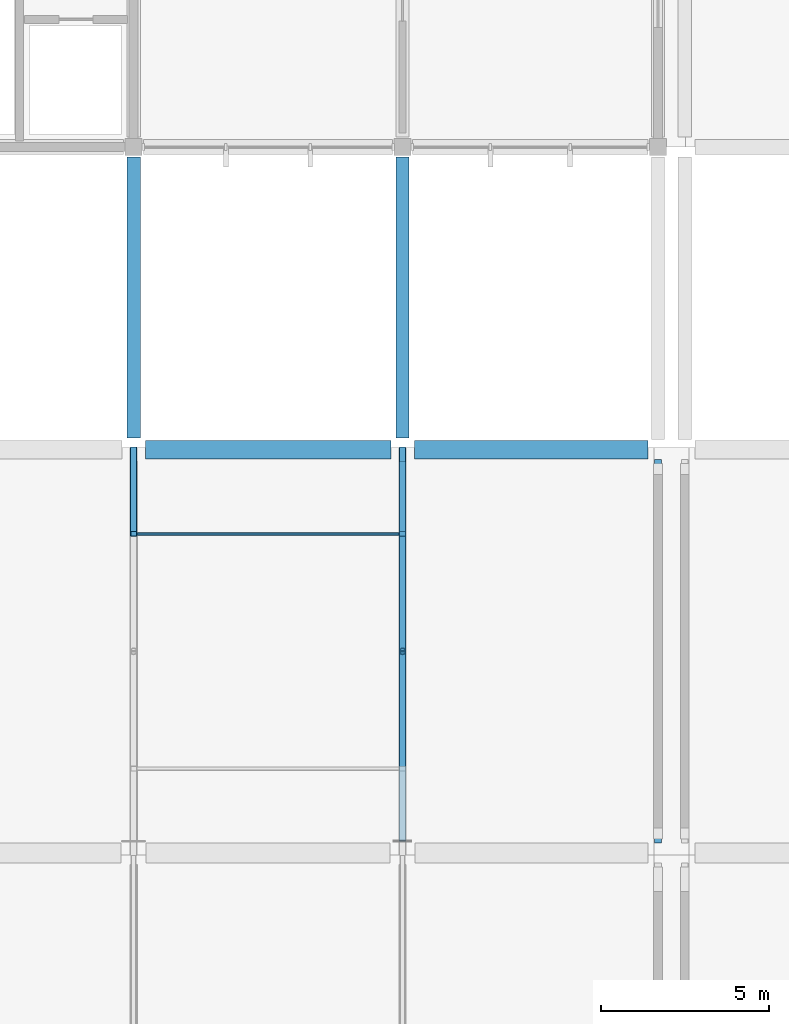
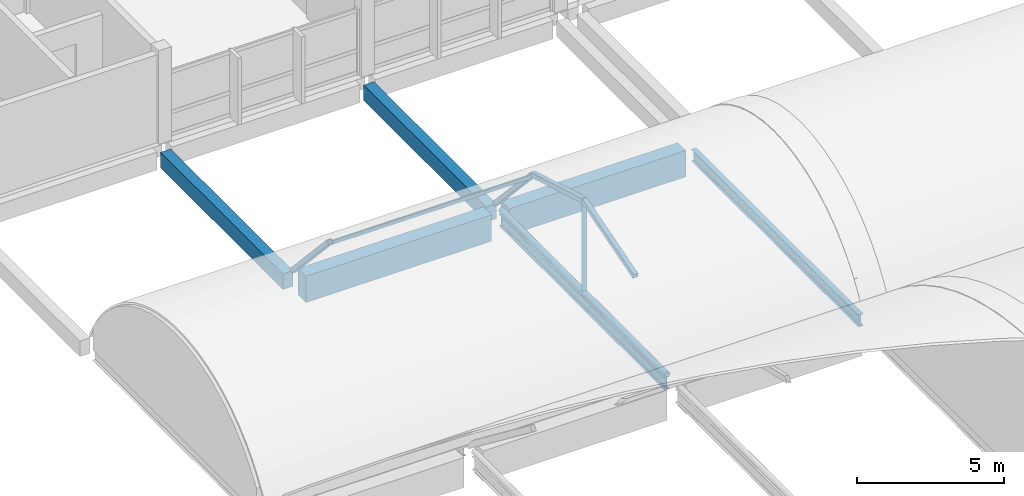
# One storey, part 23 of 57: 7 members, 6 beams.
"""IFC4 building model written with IfcOpenShell, lengths in metres."""

import ifcopenshell
import ifcopenshell.guid

model = None  # the IFC model being written
_history = None  # IfcOwnerHistory: only IFC2X3 demands one
_inside = {}  # id of a spatial element -> (the spatial element, [elements in it])
_under = {}  # id of a project, library or spatial element -> (it, [spatial elements below it])
_declared = {}  # id of a project -> (the project, [libraries it declares])
_typed = {}  # id of a type object -> (the type object, [elements of that type])
_made_of = {}  # id of a material, layer set ... -> (it, [elements and type objects made of it])


def new_model(schema):
    """Start an empty IFC model of exactly this schema.

    Asked for "IFC4X3", IfcOpenShell would pick the latest addendum, in which some entities
    have other attributes; the version numbers below select the first issue.
    IFC2X3 requires an IfcOwnerHistory on every rooted entity: one is made here for all.
    """
    global model, _history
    if schema == "IFC4X3":
        model = ifcopenshell.file(schema_version=(4, 3, 0, 0))
    else:
        model = ifcopenshell.file(schema=schema)
    _inside.clear()
    _under.clear()
    _declared.clear()
    _typed.clear()
    _made_of.clear()
    _history = None
    if model.schema == "IFC2X3":
        org = make("IfcOrganization", Name="unknown")
        user = make(
            "IfcPersonAndOrganization",
            ThePerson=make("IfcPerson", FamilyName="unknown"),
            TheOrganization=org,
        )
        app = make(
            "IfcApplication",
            ApplicationDeveloper=org,
            Version="unknown",
            ApplicationFullName="unknown",
            ApplicationIdentifier="unknown",
        )
        _history = make(
            "IfcOwnerHistory",
            OwningUser=user,
            OwningApplication=app,
            ChangeAction="ADDED",
            CreationDate=0,
        )
    return model


def make(cls, **values):
    """One entity of the class cls with the attributes given. An attribute that is None is left unset."""
    return model.create_entity(
        cls, **{name: value for name, value in values.items() if value is not None}
    )


def rooted(cls, **values):
    """An entity with a GlobalId (a new one), such as an element, a storey or a relation."""
    return make(cls, GlobalId=ifcopenshell.guid.new(), OwnerHistory=_history, **values)


def si_unit(unit_type, name, prefix=None):
    """IfcSIUnit, for example si_unit("LENGTHUNIT", "METRE", prefix="MILLI")."""
    return make("IfcSIUnit", UnitType=unit_type, Prefix=prefix, Name=name)


def assignment(units):
    """IfcUnitAssignment: the units of a project."""
    return None if units is None else make("IfcUnitAssignment", Units=units)


def point(xyz):
    """IfcCartesianPoint."""
    return None if xyz is None else make("IfcCartesianPoint", Coordinates=xyz)


def direction(xyz):
    """IfcDirection."""
    return None if xyz is None else make("IfcDirection", DirectionRatios=xyz)


def frame(location, z_axis=None, x_axis=None):
    """IfcAxis2Placement3D, a coordinate frame: its origin and axes. An axis left out is left unset."""
    return make(
        "IfcAxis2Placement3D",
        Location=point(location),
        Axis=direction(z_axis),
        RefDirection=direction(x_axis),
    )


def frame_2d(location, x_axis=None):
    """IfcAxis2Placement2D, a coordinate frame in the plane: its origin and x axis."""
    return make(
        "IfcAxis2Placement2D", Location=point(location), RefDirection=direction(x_axis)
    )


def origin():
    """The frame at (0, 0, 0) with its axes left unset."""
    return frame((0.0, 0.0, 0.0))


def origin_2d():
    """The frame at (0, 0) in the plane with its x axis left unset."""
    return frame_2d((0.0, 0.0))


def place(relative_to, where):
    """IfcLocalPlacement: puts the frame where relative to a parent placement (None: the world)."""
    return make(
        "IfcLocalPlacement", PlacementRelTo=relative_to, RelativePlacement=where
    )


def context(
    kind, dimensions, precision=None, world=None, true_north=None, identifier=None
):
    """IfcGeometricRepresentationContext, for example the 3D "Model" context."""
    return make(
        "IfcGeometricRepresentationContext",
        ContextIdentifier=identifier,
        ContextType=kind,
        CoordinateSpaceDimension=dimensions,
        Precision=precision,
        WorldCoordinateSystem=world,
        TrueNorth=true_north,
    )


def subcontext(parent, identifier, kind, view, scale=None):
    """IfcGeometricRepresentationSubContext, for example "Body" below "Model"."""
    return make(
        "IfcGeometricRepresentationSubContext",
        ContextIdentifier=identifier,
        ContextType=kind,
        ParentContext=parent,
        TargetScale=scale,
        TargetView=view,
    )


def project(units=None, contexts=None):
    """IfcProject with its units and contexts."""
    return rooted(
        "IfcProject",
        Name="project",
        RepresentationContexts=contexts,
        UnitsInContext=assignment(units),
    )


def spatial(cls, under=None, at=None, **own):
    """A site, building, storey or space (cls), placed at a placement, below another one or the project."""
    s = rooted(cls, ObjectPlacement=at, **own)
    if under is not None:
        _under.setdefault(under.id(), (under, []))[1].append(s)
    return s


def profile(cls, at=None, kind="AREA", **sizes):
    """A parametric profile (cls). Its sizes go by their IFC names, for example OverallWidth=200.0."""
    return make(cls, ProfileType=kind, Position=at, **sizes)


def rectangle(**sizes):
    """IfcRectangleProfileDef."""
    return profile("IfcRectangleProfileDef", **sizes)


def hollow_rectangle(**sizes):
    """IfcRectangleHollowProfileDef."""
    return profile("IfcRectangleHollowProfileDef", **sizes)


def hollow_circle(**sizes):
    """IfcCircleHollowProfileDef."""
    return profile("IfcCircleHollowProfileDef", **sizes)


def i_section(**sizes):
    """IfcIShapeProfileDef."""
    return profile("IfcIShapeProfileDef", **sizes)


def extrude(swept, where, along, depth):
    """IfcExtrudedAreaSolid: the profile swept, set in the frame where, extruded along a direction by depth."""
    return make(
        "IfcExtrudedAreaSolid",
        SweptArea=swept,
        Position=where,
        ExtrudedDirection=direction(along),
        Depth=depth,
    )


def shape(context_of_items, identifier, shape_type, items):
    """IfcShapeRepresentation: the items that make up one representation, for example the "Body"."""
    return make(
        "IfcShapeRepresentation",
        ContextOfItems=context_of_items,
        RepresentationIdentifier=identifier,
        RepresentationType=shape_type,
        Items=items,
    )


def material(Name=None, Category=None):
    """IfcMaterial."""
    return make("IfcMaterial", Name=Name, Category=Category)


def material_profile(
    of_material, cross_section, Name=None, Category=None, Priority=None
):
    """IfcMaterialProfile: a cross section and its material."""
    return make(
        "IfcMaterialProfile",
        Name=Name,
        Material=of_material,
        Profile=cross_section,
        Priority=Priority,
        Category=Category,
    )


def profile_set(profiles, Name=None, composite=None):
    """IfcMaterialProfileSet."""
    return make(
        "IfcMaterialProfileSet",
        Name=Name,
        MaterialProfiles=profiles,
        CompositeProfile=composite,
    )


def made_of(thing, what):
    """Note that an element or type object is made of a material, layer set ...; save() writes the relation."""
    if what is not None:
        _made_of.setdefault(what.id(), (what, []))[1].append(thing)
    return thing


def type_object(cls, material=None, **own):
    """A type object (cls), such as IfcWallType, which elements share."""
    return made_of(rooted(cls, **own), material)


def element(
    cls,
    number,
    at=None,
    inside=None,
    cuts=None,
    type_object=None,
    material=None,
    context=None,
    identifier="Body",
    shape_type=None,
    held_by="IfcProductDefinitionShape",
    body=None,
    shapes=None,
    **own,
):
    """One element of the class cls, such as IfcWall. Its Tag is "e" and its number.

    at: its placement. inside: the storey or other place that contains it. cuts: it is an
    opening in that element (IfcRelVoidsElement). A single representation is given by context,
    identifier, shape_type and body (its items); several are given by shapes. held_by: the class
    of the entity that holds the representations. save() writes the other relations.
    """
    e = rooted(cls, Tag="e%d" % number, ObjectPlacement=at, **own)
    if body is not None:
        shapes = [shape(context, identifier, shape_type, body)]
    if shapes is not None:
        e.Representation = make(held_by, Representations=shapes)
    if inside is not None:
        _inside.setdefault(inside.id(), (inside, []))[1].append(e)
    if cuts is not None:
        rooted(
            "IfcRelVoidsElement", RelatingBuildingElement=cuts, RelatedOpeningElement=e
        )
    if type_object is not None:
        _typed.setdefault(type_object.id(), (type_object, []))[1].append(e)
    return made_of(e, material)


def aggregate(whole, parts):
    """IfcRelAggregates: a whole, such as a stair, and the parts it consists of."""
    return rooted("IfcRelAggregates", RelatingObject=whole, RelatedObjects=parts)


def save(model, path):
    """Write the relations noted so far, then the file.

    IfcRelAggregates (storeys below a building ...), IfcRelContainedInSpatialStructure (elements
    in a storey), IfcRelDefinesByType, IfcRelAssociatesMaterial and IfcRelDeclares: one each for
    every whole, place, type object, material and project.
    """
    for whole, parts in _under.values():
        aggregate(whole, parts)
    for where, things in _inside.values():
        rooted(
            "IfcRelContainedInSpatialStructure",
            RelatedElements=things,
            RelatingStructure=where,
        )
    for kind, things in _typed.values():
        rooted("IfcRelDefinesByType", RelatedObjects=things, RelatingType=kind)
    for what, things in _made_of.values():
        rooted("IfcRelAssociatesMaterial", RelatedObjects=things, RelatingMaterial=what)
    for by, libraries in _declared.values():
        rooted("IfcRelDeclares", RelatingContext=by, RelatedDefinitions=libraries)
    model.write(path)


model = new_model("IFC4")

# Units and contexts
model_context = context("Model", 3, precision=1e-05, world=origin(), true_north=direction((0.0, 1.0)))
body_context = subcontext(model_context, "Body", "Model", "MODEL_VIEW")
ifc_project = project(units=[si_unit("LENGTHUNIT", "METRE"), si_unit("AREAUNIT", "SQUARE_METRE"), si_unit("VOLUMEUNIT", "CUBIC_METRE"), si_unit("PLANEANGLEUNIT", "RADIAN"), si_unit("MASSUNIT", "GRAM", prefix="KILO"), si_unit("THERMODYNAMICTEMPERATUREUNIT", "KELVIN"), si_unit("POWERUNIT", "WATT")], contexts=[model_context])

# Site, building, storey
site_placement = place(None, origin())
site = spatial("IfcSite", under=ifc_project, at=site_placement, CompositionType="ELEMENT")
building_placement = place(site_placement, origin())
building = spatial("IfcBuilding", under=site, at=building_placement, Name="Kronsvod Quay Wholesale Market", CompositionType="ELEMENT")
storey_placement = place(building_placement, frame((0.0, 0.0, 13.199951171875)))
storey = spatial("IfcBuildingStorey", under=building, at=storey_placement, Name="L03", CompositionType="ELEMENT", Elevation=13.199951171875)

# Beams
ifc_material_1 = material(Name="Precast concrete C40/50", Category="concrete")
ifc_material_profile_1 = material_profile(ifc_material_1, rectangle(XDim=0.39990234375, YDim=0.64990234375, at=origin_2d()), Name="PCB400x650")
ifc_profile_set_1 = profile_set([ifc_material_profile_1], Name="Precast concrete C40/50")
beam_type_1 = type_object("IfcBeamType", Name="Beam_PCB400x650", PredefinedType="BEAM", material=ifc_profile_set_1)
for number, where, z_axis, x_axis, name in (
    (1, (112.0, 90.35009765625, -0.635009765625), (0.0, 1.0, 0.0), (-1.0, 0.0, 0.0), "BMY-L03-1120-900"),
    (2, (120.0, 90.35009765625, -0.635009765625), (0.0, 1.0, 0.0), (-1.0, 0.0, 0.0), "BMY-L03-1200-900"),
):
    element("IfcBeam", number, at=place(storey_placement, frame(where, z_axis=z_axis, x_axis=x_axis)), inside=storey, type_object=beam_type_1, Name=name, PredefinedType="BEAM", context=body_context, shape_type="SweptSolid", body=[
        extrude(rectangle(XDim=0.39990234375, YDim=0.64990234375, at=origin_2d()), origin(), (0.0, 0.0, 1.0), 8.349853515625),
    ])
ifc_material_2 = material(Name="Precast concrete C40/50", Category="concrete")
ifc_material_profile_2 = material_profile(ifc_material_2, rectangle(XDim=0.550048828125, YDim=1.10009765625, at=origin_2d()), Name="PCVG550x1100")
ifc_profile_set_2 = profile_set([ifc_material_profile_2], Name="Precast concrete C40/50")
beam_type_2 = type_object("IfcBeamType", Name="Girder_PCVG550x1100", PredefinedType="T_BEAM", material=ifc_profile_set_2)
beam_1_placement = place(storey_placement, frame((112.35009765625, 90.0, -0.77001953125), z_axis=(1.0, 0.0, 0.0), x_axis=(0.0, 1.0, 0.0)))
element("IfcBeam", 3, at=beam_1_placement, inside=storey, type_object=beam_type_2, Name="BMX-L03-1120-900", PredefinedType="T_BEAM", context=body_context, shape_type="SweptSolid", body=[
    extrude(rectangle(XDim=0.550048828125, YDim=1.10009765625, at=origin_2d()), origin(), (0.0, 0.0, 1.0), 7.2998046875),
])
beam_2_placement = place(storey_placement, frame((120.35009765625, 90.0, -0.77001953125), z_axis=(1.0, 0.0, 0.0), x_axis=(0.0, 1.0, 0.0)))
element("IfcBeam", 4, at=beam_2_placement, inside=storey, type_object=beam_type_2, Name="BMX-L03-1200-900", PredefinedType="T_BEAM", context=body_context, shape_type="SweptSolid", body=[
    extrude(rectangle(XDim=0.550048828125, YDim=1.10009765625, at=origin_2d()), origin(), (0.0, 0.0, 1.0), 6.949951171875),
])
ifc_material_3 = material(Name="Steel S355", Category="steel")
ifc_material_profile_3 = material_profile(ifc_material_3, i_section(OverallWidth=0.198974609375, OverallDepth=0.49609375, WebThickness=0.009033203125, FlangeThickness=0.013916015625, FilletRadius=0.02001953125, at=origin_2d()), Name="50B1")
ifc_profile_set_3 = profile_set([ifc_material_profile_3], Name="Steel S355")
beam_type_3 = type_object("IfcBeamType", Name="Girder_Steel50B1", PredefinedType="T_BEAM", material=ifc_profile_set_3)
beam_3_placement = place(storey_placement, frame((120.0, 78.375, -0.468017578125), z_axis=(0.0, 1.0, 0.0), x_axis=(-1.0, 0.0, 0.0)))
element("IfcBeam", 5, at=beam_3_placement, inside=storey, type_object=beam_type_3, Name="BMY-L03-1200-780", PredefinedType="T_BEAM", context=body_context, shape_type="SweptSolid", body=[
    extrude(i_section(OverallWidth=0.198974609375, OverallDepth=0.49609375, WebThickness=0.009033203125, FlangeThickness=0.013916015625, FilletRadius=0.02001953125, at=origin_2d()), origin(), (0.0, 0.0, 1.0), 11.27490234375),
])
beam_4_placement = place(storey_placement, frame((127.60009765625, 78.300048828125, -0.468017578125), z_axis=(0.0, 1.0, 0.0), x_axis=(-1.0, 0.0, 0.0)))
element("IfcBeam", 6, at=beam_4_placement, inside=storey, type_object=beam_type_3, Name="BMY-L03-1276-780", PredefinedType="T_BEAM", context=body_context, shape_type="SweptSolid", body=[
    extrude(i_section(OverallWidth=0.198974609375, OverallDepth=0.49609375, WebThickness=0.009033203125, FlangeThickness=0.013916015625, FilletRadius=0.02001953125, at=origin_2d()), origin(), (0.0, 0.0, 1.0), 11.39990234375),
])

# Members
ifc_material_4 = material(Name="Steel S355", Category="steel")
ifc_material_profile_4 = material_profile(ifc_material_4, hollow_rectangle(XDim=0.199951171875, YDim=0.199951171875, WallThickness=0.010009765625, InnerFilletRadius=0.010009765625, OuterFilletRadius=0.02001953125, at=origin_2d()), Name="RHS200x200x10")
ifc_profile_set_4 = profile_set([ifc_material_profile_4], Name="Steel S355")
member_type_1 = type_object("IfcMemberType", Name="Member_Arch200x200", PredefinedType="RAFTER", material=ifc_profile_set_4)
member_1_placement = place(storey_placement, frame((112.0, 87.490966796875, 2.705322265625), z_axis=(0.0, 0.67865576732, -0.734456499381), x_axis=(-1.0, 0.0, 0.0)))
element("IfcMember", 7, at=member_1_placement, inside=storey, type_object=member_type_1, Name="ARCG-SH-V2C-N-1120-3", PredefinedType="RAFTER", context=body_context, shape_type="SweptSolid", body=[
    extrude(hollow_rectangle(XDim=0.199951171875, YDim=0.199951171875, WallThickness=0.010009765625, InnerFilletRadius=0.010009765625, OuterFilletRadius=0.02001953125, at=origin_2d()), origin(), (0.0, 0.0, 1.0), 3.697021484375),
])
for number, where, z_axis, x_axis, name in (
    (8, (120.0, 80.509033203125, 2.705322265625), (0.0, 0.95877511068, 0.284165950001), (-1.0, 0.0, 0.0), "ARCG-SH-V2C-N-1200-1"),
    (9, (120.0, 84.0, 3.739990234375), (0.0, 0.95877511068, -0.284165950001), (-1.0, 0.0, 0.0), "ARCG-SH-V2C-N-1200-2"),
):
    element("IfcMember", number, at=place(storey_placement, frame(where, z_axis=z_axis, x_axis=x_axis)), inside=storey, type_object=member_type_1, Name=name, PredefinedType="RAFTER", context=body_context, shape_type="SweptSolid", body=[
        extrude(hollow_rectangle(XDim=0.199951171875, YDim=0.199951171875, WallThickness=0.010009765625, InnerFilletRadius=0.010009765625, OuterFilletRadius=0.02001953125, at=origin_2d()), origin(), (0.0, 0.0, 1.0), 3.64111328125),
    ])
member_2_placement = place(storey_placement, frame((120.0, 87.490966796875, 2.705322265625), z_axis=(0.0, 0.67865576732, -0.734456499381), x_axis=(-1.0, 0.0, 0.0)))
element("IfcMember", 10, at=member_2_placement, inside=storey, type_object=member_type_1, Name="ARCG-SH-V2C-N-1200-3", PredefinedType="RAFTER", context=body_context, shape_type="SweptSolid", body=[
    extrude(hollow_rectangle(XDim=0.199951171875, YDim=0.199951171875, WallThickness=0.010009765625, InnerFilletRadius=0.010009765625, OuterFilletRadius=0.02001953125, at=origin_2d()), origin(), (0.0, 0.0, 1.0), 3.697021484375),
])
ifc_material_5 = material(Name="Steel S355", Category="steel")
ifc_material_profile_5 = material_profile(ifc_material_5, hollow_circle(Radius=0.096923828125, WallThickness=0.008056640625, at=origin_2d()), Name="CHS194x8")
ifc_profile_set_5 = profile_set([ifc_material_profile_5], Name="Steel S355")
member_type_2 = type_object("IfcMemberType", Name="Member_Brace194x8", PredefinedType="BRACE", material=ifc_profile_set_5)
member_3_placement = place(storey_placement, frame((120.0, 84.0, -0.22998046875), z_axis=(0.0, 0.0, 1.0), x_axis=(1.0, 0.0, 0.0)))
element("IfcMember", 11, at=member_3_placement, inside=storey, type_object=member_type_2, Name="KPST-SH-V2C-N-1200", PredefinedType="BRACE", context=body_context, shape_type="SweptSolid", body=[
    extrude(hollow_circle(Radius=0.096923828125, WallThickness=0.008056640625, at=origin_2d()), origin(), (0.0, 0.0, 1.0), 3.969970703125),
])
ifc_material_6 = material(Name="Steel S355", Category="steel")
ifc_material_profile_6 = material_profile(ifc_material_6, hollow_circle(Radius=0.109619140625, WallThickness=0.010009765625, at=origin_2d()), Name="CHS219x10")
ifc_profile_set_6 = profile_set([ifc_material_profile_6], Name="Steel S355")
member_type_3 = type_object("IfcMemberType", Name="Member_Chord219x10", PredefinedType="CHORD", material=ifc_profile_set_6)
member_4_placement = place(storey_placement, frame((120.0, 78.340087890625, -0.079833984375), z_axis=(0.0, 1.0, 0.0), x_axis=(-1.0, 0.0, 0.0)))
element("IfcMember", 12, at=member_4_placement, inside=storey, type_object=member_type_3, Name="CHDG-SH-V2C-N-1200", PredefinedType="CHORD", context=body_context, shape_type="SweptSolid", body=[
    extrude(hollow_circle(Radius=0.109619140625, WallThickness=0.010009765625, at=origin_2d()), origin(), (0.0, 0.0, 1.0), 11.31982421875),
])
ifc_material_7 = material(Name="Steel S355", Category="steel")
ifc_material_profile_7 = material_profile(ifc_material_7, hollow_rectangle(XDim=0.080078125, YDim=0.159912109375, WallThickness=0.006103515625, InnerFilletRadius=0.006103515625, OuterFilletRadius=0.011962890625, at=origin_2d()), Name="RHS160x80x6")
ifc_profile_set_7 = profile_set([ifc_material_profile_7], Name="Steel S355")
member_type_4 = type_object("IfcMemberType", Name="Member_Purlin160x80", PredefinedType="PURLIN", material=ifc_profile_set_7)
member_5_placement = place(storey_placement, frame((112.080078125, 87.490966796875, 2.645263671875), z_axis=(1.0, 0.0, 0.0), x_axis=(0.0, 1.0, 0.0)))
element("IfcMember", 13, at=member_5_placement, inside=storey, type_object=member_type_4, Name="PRLG-SH-V2C-N-0-1", PredefinedType="PURLIN", context=body_context, shape_type="SweptSolid", body=[
    extrude(hollow_rectangle(XDim=0.080078125, YDim=0.159912109375, WallThickness=0.006103515625, InnerFilletRadius=0.006103515625, OuterFilletRadius=0.011962890625, at=origin_2d()), origin(), (0.0, 0.0, 1.0), 7.83984375),
])

save(model, "model.ifc")
